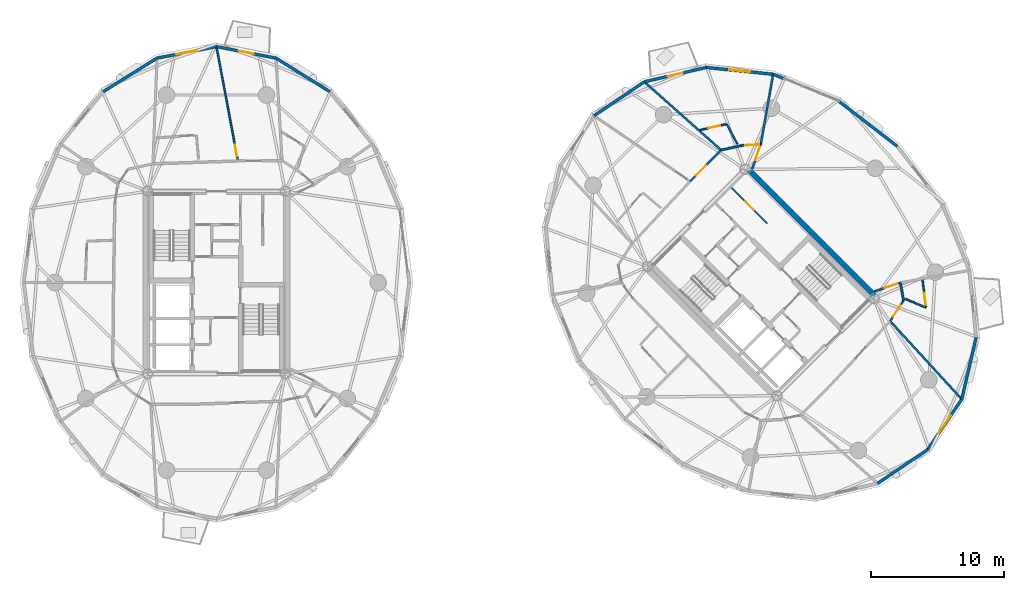
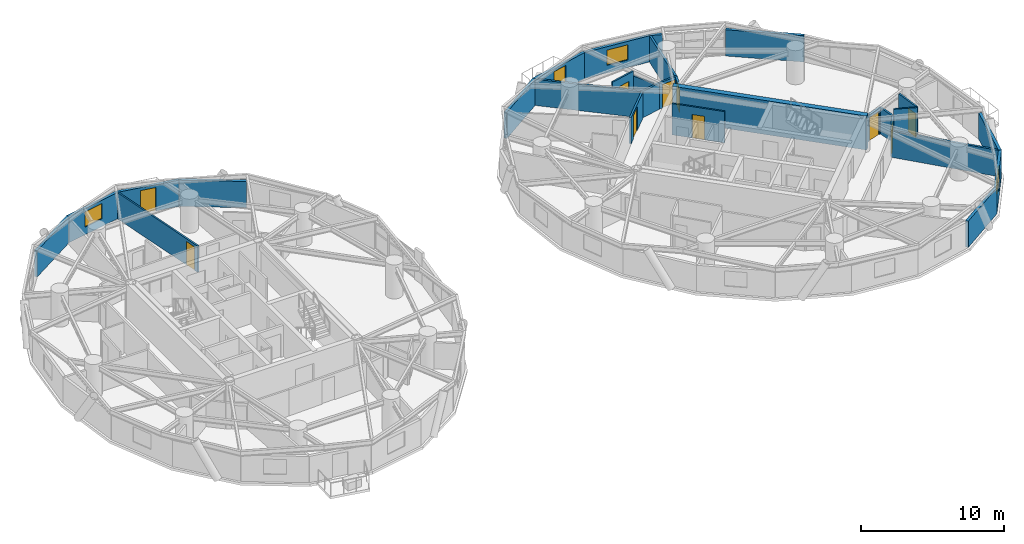
# One storey, part 13 of 17: 29 walls, 11 doors, 3 windows, 14 openings.
"""IFC4 building model written with IfcOpenShell, lengths in metres."""

from ifc_helpers import new_model, si_unit, direction, frame, frame_2d, origin, place, context, subcontext, project, spatial, rectangle, extrude, source, transform, mapped, material, layer, layer_set, type_object, element, fill, save


model = new_model("IFC4")

# Units and contexts
model_context = context("Model", 3, precision=1e-05, world=origin(), true_north=direction((0.0, 1.0)))
body_context = subcontext(model_context, "Body", "Model", "MODEL_VIEW")
ifc_project = project(units=[si_unit("LENGTHUNIT", "METRE"), si_unit("AREAUNIT", "SQUARE_METRE"), si_unit("VOLUMEUNIT", "CUBIC_METRE"), si_unit("PLANEANGLEUNIT", "RADIAN"), si_unit("MASSUNIT", "GRAM", prefix="KILO")], contexts=[model_context])

# Site, building, storey
site_placement = place(None, origin())
site = spatial("IfcSite", under=ifc_project, at=site_placement, CompositionType="ELEMENT")
building_placement = place(site_placement, origin())
building = spatial("IfcBuilding", under=site, at=building_placement, Name="Cununo Teusaquillo Station Towers", CompositionType="ELEMENT")
storey_placement = place(building_placement, frame((0.0, 0.0, 154.510009765625)))
storey = spatial("IfcBuildingStorey", under=building, at=storey_placement, Name="L48", CompositionType="ELEMENT", Elevation=154.510009765625)

# Walls
ifc_material_1 = material(Name="Concrete C50/60", Category="concrete")
ifc_layer_1 = layer(ifc_material_1, 0.39990234375)
ifc_layer_set_1 = layer_set([ifc_layer_1], Name="Concrete C50/60")
wall_type_1 = type_object("IfcWallType", Name="WL-CORE-400", PredefinedType="SHEAR", material=ifc_layer_set_1)
wall_1_placement = place(storey_placement, frame((66.26806640625, 23.2978515625, 0.0), z_axis=(0.0, 0.0, 1.0), x_axis=(-0.707106781187, 0.707106781187, 0.0)))
element("IfcWall", 1, at=wall_1_placement, inside=storey, type_object=wall_type_1, Name="L48 Tower B Core Shear Wall E", PredefinedType="SHEAR", context=body_context, shape_type="SweptSolid", body=[
    extrude(rectangle(XDim=14.10009765625, YDim=0.39990234375, at=frame_2d((7.050048828125, 0.0))), origin(), (0.0, 0.0, 1.0), 2.909912109375),
])
ifc_material_2 = material(Name="Precast concrete C40/50", Category="concrete")
ifc_layer_2 = layer(ifc_material_2, 0.219970703125)
ifc_layer_set_2 = layer_set([ifc_layer_2], Name="Precast concrete C40/50")
wall_type_2 = type_object("IfcWallType", Name="WL-EXT-220", PredefinedType="SOLIDWALL", material=ifc_layer_set_2)
wall_2_placement = place(storey_placement, frame((20.9853515625, 41.400390625, 0.0), z_axis=(0.0, 0.0, 1.0), x_axis=(0.848452391194, -0.529271707044, 0.0)))
element("IfcWall", 2, at=wall_2_placement, inside=storey, type_object=wall_type_2, Name="L48 Tower A Exterior Facade Wall C03", PredefinedType="SOLIDWALL", context=body_context, shape_type="SweptSolid", body=[
    extrude(rectangle(XDim=4.76904296875, YDim=0.219970703125, at=frame_2d((2.384521484375, 0.0))), origin(), (0.0, 0.0, 1.0), 2.244873046875),
])

# Wall, opening, door
wall_3_placement = place(storey_placement, frame((16.5, 42.27001953125, 0.0), z_axis=(0.0, 0.0, 1.0), x_axis=(0.981718699963, -0.190337579429, 0.0)))
wall_3 = element("IfcWall", 3, at=wall_3_placement, inside=storey, type_object=wall_type_2, Name="L48 Tower A Exterior Facade Wall C04", PredefinedType="SOLIDWALL", context=body_context, shape_type="SweptSolid", body=[
    extrude(rectangle(XDim=4.56884765625, YDim=0.219970703125, at=frame_2d((2.284423828125, 0.0))), origin(), (0.0, 0.0, 1.0), 2.244873046875),
])
shared_shape_1 = source(origin(), body_context, "Body", "SweptSolid", [
    extrude(rectangle(XDim=1.14990234375, YDim=2.0048828125, at=frame_2d((0.574951171875, 1.00244140625))), frame((0.0, 0.119873046875, 0.0), z_axis=(0.0, -1.0, 0.0), x_axis=(1.0, 0.0, 0.0)), (0.0, 0.0, 1.0), 0.239990234375),
])
opening_1_placement = place(wall_3_placement, frame((1.708984375, 0.0, 0.0)))
opening_1 = element("IfcOpeningElement", 4, at=opening_1_placement, cuts=wall_3, Name="Opening ED-03", PredefinedType="OPENING", context=body_context, shape_type="MappedRepresentation", body=[
    mapped(shared_shape_1, transform((0.0, 0.0, 0.0), x_axis=(1.0, 0.0, 0.0), y_axis=(0.0, 1.0, 0.0), z_axis=(0.0, 0.0, 1.0), scale=1.0)),
])
ifc_material_3 = material(Name="Anodised dark bronze aluminium EN AW-6063-T6", Category="aluminium")
door_type_1 = type_object("IfcDoorType", Name="DR-EXT-BAL", OperationType="NOTDEFINED", PredefinedType="DOOR", material=ifc_material_3)
shared_shape_2 = source(origin(), body_context, "Body", "SweptSolid", [
    extrude(rectangle(XDim=1.14990234375, YDim=2.0048828125, at=frame_2d((0.574951171875, 1.00244140625))), frame((0.0, 0.02490234375, 0.0), z_axis=(0.0, -1.0, 0.0), x_axis=(1.0, 0.0, 0.0)), (0.0, 0.0, 1.0), 0.050048828125),
])
door_1_placement = place(opening_1_placement, origin())
door_1 = element("IfcDoor", 5, at=door_1_placement, inside=storey, type_object=door_type_1, Name="L48 Tower A Tree Balcony Door C04", OperationType="SINGLE_SWING_LEFT", OverallHeight=2.0048828125, OverallWidth=1.14990234375, PredefinedType="DOOR", context=body_context, shape_type="MappedRepresentation", body=[
    mapped(shared_shape_2, transform((0.0, 0.0, 0.0), x_axis=(1.0, 0.0, 0.0), y_axis=(0.0, 1.0, 0.0), z_axis=(0.0, 0.0, 1.0), scale=1.0)),
])
fill(opening_1, door_1)

# Wall, opening, window
wall_4_placement = place(storey_placement, frame((12.0146484375, 41.400390625, 0.0), z_axis=(0.0, 0.0, 1.0), x_axis=(0.981718699963, 0.190337579429, 0.0)))
wall_4 = element("IfcWall", 6, at=wall_4_placement, inside=storey, type_object=wall_type_2, Name="L48 Tower A Exterior Facade Wall C05", PredefinedType="SOLIDWALL", context=body_context, shape_type="SweptSolid", body=[
    extrude(rectangle(XDim=4.56884765625, YDim=0.219970703125, at=frame_2d((2.284423828125, 0.0))), origin(), (0.0, 0.0, 1.0), 2.244873046875),
])
shared_shape_3 = source(origin(), body_context, "Body", "SweptSolid", [
    extrude(rectangle(XDim=1.60009765625, YDim=1.300048828125, at=frame_2d((0.800048828125, 0.64990234375))), frame((0.0, 0.119873046875, 0.0), z_axis=(0.0, -1.0, 0.0), x_axis=(1.0, 0.0, 0.0)), (0.0, 0.0, 1.0), 0.239990234375),
])
opening_2_placement = place(wall_4_placement, frame((1.48388671875, 0.0, 0.64990234375)))
opening_2 = element("IfcOpeningElement", 7, at=opening_2_placement, cuts=wall_4, Name="Opening WN-03", PredefinedType="OPENING", context=body_context, shape_type="MappedRepresentation", body=[
    mapped(shared_shape_3, transform((0.0, 0.0, 0.0), x_axis=(1.0, 0.0, 0.0), y_axis=(0.0, 1.0, 0.0), z_axis=(0.0, 0.0, 1.0), scale=1.0)),
])
ifc_material_4 = material(Name="Ceramic-fritted dark low-E double glazing", Category="glass")
window_type = type_object("IfcWindowType", Name="WIN-CORN-1600", PartitioningType="SINGLE_PANEL", PredefinedType="WINDOW", material=ifc_material_4)
shared_shape_4 = source(origin(), body_context, "Body", "SweptSolid", [
    extrude(rectangle(XDim=1.60009765625, YDim=1.300048828125, at=frame_2d((0.800048828125, 0.64990234375))), frame((0.0, 0.030029296875, 0.0), z_axis=(0.0, -1.0, 0.0), x_axis=(1.0, 0.0, 0.0)), (0.0, 0.0, 1.0), 0.06005859375),
])
window_1_placement = place(opening_2_placement, origin())
window_1 = element("IfcWindow", 8, at=window_1_placement, inside=storey, type_object=window_type, Name="L48 Tower A Facade Window C05", OverallHeight=1.300048828125, OverallWidth=1.60009765625, PartitioningType="SINGLE_PANEL", PredefinedType="WINDOW", context=body_context, shape_type="MappedRepresentation", body=[
    mapped(shared_shape_4, transform((0.0, 0.0, 0.0), x_axis=(1.0, 0.0, 0.0), y_axis=(0.0, 1.0, 0.0), z_axis=(0.0, 0.0, 1.0), scale=1.0)),
])
fill(opening_2, window_1)

# Walls
wall_5_placement = place(storey_placement, frame((7.96826171875, 38.876220703125, 0.0), z_axis=(0.0, 0.0, 1.0), x_axis=(0.848452391194, 0.529271707044, 0.0)))
element("IfcWall", 9, at=wall_5_placement, inside=storey, type_object=wall_type_2, Name="L48 Tower A Exterior Facade Wall C06", PredefinedType="SOLIDWALL", context=body_context, shape_type="SweptSolid", body=[
    extrude(rectangle(XDim=4.76904296875, YDim=0.219970703125, at=frame_2d((2.384521484375, 0.0))), origin(), (0.0, 0.0, 1.0), 2.244873046875),
])
wall_6_placement = place(storey_placement, frame((63.37841796875, 38.144287109375, 0.0), z_axis=(0.0, 0.0, 1.0), x_axis=(0.791982658323, -0.610543584779, 0.0)))
element("IfcWall", 10, at=wall_6_placement, inside=storey, type_object=wall_type_2, Name="L48 Tower B Exterior Facade Wall C00", PredefinedType="SOLIDWALL", context=body_context, shape_type="SweptSolid", body=[
    extrude(rectangle(XDim=5.537109375, YDim=0.219970703125, at=frame_2d((2.7685546875, 0.0))), origin(), (0.0, 0.0, 1.0), 2.244873046875),
])
wall_7_placement = place(storey_placement, frame((58.417724609375, 40.189208984375, 0.0), z_axis=(0.0, 0.0, 1.0), x_axis=(0.924556017656, -0.381046152345, 0.0)))
element("IfcWall", 11, at=wall_7_placement, inside=storey, type_object=wall_type_2, Name="L48 Tower B Column Pier Cladding Wall C01-PA", PredefinedType="SOLIDWALL", context=body_context, shape_type="SweptSolid", body=[
    extrude(rectangle(XDim=0.8701171875, YDim=0.219970703125, at=frame_2d((0.43505859375, 0.0))), origin(), (0.0, 0.0, 1.0), 2.244873046875),
])

# Wall, opening, window
wall_8_placement = place(storey_placement, frame((53.3671875, 40.6982421875, 0.0), z_axis=(0.0, 0.0, 1.0), x_axis=(0.994959267396, -0.100279889424, 0.0)))
wall_8 = element("IfcWall", 12, at=wall_8_placement, inside=storey, type_object=wall_type_2, Name="L48 Tower B Exterior Facade Wall C02", PredefinedType="SOLIDWALL", context=body_context, shape_type="SweptSolid", body=[
    extrude(rectangle(XDim=5.076171875, YDim=0.219970703125, at=frame_2d((2.5380859375, 0.0))), origin(), (0.0, 0.0, 1.0), 2.244873046875),
])
opening_3_placement = place(wall_8_placement, frame((1.738037109375, 0.0, 0.64990234375)))
opening_3 = element("IfcOpeningElement", 13, at=opening_3_placement, cuts=wall_8, Name="Opening WN-03", PredefinedType="OPENING", context=body_context, shape_type="MappedRepresentation", body=[
    mapped(shared_shape_3, transform((0.0, 0.0, 0.0), x_axis=(1.0, 0.0, 0.0), y_axis=(0.0, 1.0, 0.0), z_axis=(0.0, 0.0, 1.0), scale=1.0)),
])
window_2_placement = place(opening_3_placement, origin())
window_2 = element("IfcWindow", 14, at=window_2_placement, inside=storey, type_object=window_type, Name="L48 Tower B Facade Window C02", OverallHeight=1.300048828125, OverallWidth=1.60009765625, PartitioningType="SINGLE_PANEL", PredefinedType="WINDOW", context=body_context, shape_type="MappedRepresentation", body=[
    mapped(shared_shape_4, transform((0.0, 0.0, 0.0), x_axis=(1.0, 0.0, 0.0), y_axis=(0.0, 1.0, 0.0), z_axis=(0.0, 0.0, 1.0), scale=1.0)),
])
fill(opening_3, window_2)

# Wall, opening, door
wall_9_placement = place(storey_placement, frame((48.72119140625, 39.6220703125, 0.0), z_axis=(0.0, 0.0, 1.0), x_axis=(0.974206226622, 0.225659540039, 0.0)))
wall_9 = element("IfcWall", 15, at=wall_9_placement, inside=storey, type_object=wall_type_2, Name="L48 Tower B Exterior Facade Wall C03", PredefinedType="SOLIDWALL", context=body_context, shape_type="SweptSolid", body=[
    extrude(rectangle(XDim=4.76904296875, YDim=0.219970703125, at=frame_2d((2.384521484375, 0.0))), origin(), (0.0, 0.0, 1.0), 2.244873046875),
])
opening_4_placement = place(wall_9_placement, frame((1.81005859375, 0.0, 0.0)))
opening_4 = element("IfcOpeningElement", 16, at=opening_4_placement, cuts=wall_9, Name="Opening ED-03", PredefinedType="OPENING", context=body_context, shape_type="MappedRepresentation", body=[
    mapped(shared_shape_1, transform((0.0, 0.0, 0.0), x_axis=(1.0, 0.0, 0.0), y_axis=(0.0, 1.0, 0.0), z_axis=(0.0, 0.0, 1.0), scale=1.0)),
])
door_2_placement = place(opening_4_placement, origin())
door_2 = element("IfcDoor", 17, at=door_2_placement, inside=storey, type_object=door_type_1, Name="L48 Tower B Tree Balcony Door C03", OperationType="SINGLE_SWING_LEFT", OverallHeight=2.0048828125, OverallWidth=1.14990234375, PredefinedType="DOOR", context=body_context, shape_type="MappedRepresentation", body=[
    mapped(shared_shape_2, transform((0.0, 0.0, 0.0), x_axis=(1.0, 0.0, 0.0), y_axis=(0.0, 1.0, 0.0), z_axis=(0.0, 0.0, 1.0), scale=1.0)),
])
fill(opening_4, door_2)

# Walls
for number, where, z_axis, x_axis, name in (
    (18, (44.934814453125, 37.065185546875, 0.0), (0.0, 0.0, 1.0), (0.828739009952, 0.559635286042, 0.0), "L48 Tower B Exterior Facade Wall C04"),
    (19, (70.065185546875, 11.934814453125, 0.0), (0.0, 0.0, 1.0), (-0.828739009952, -0.559635286042, 0.0), "L48 Tower B Exterior Facade Wall C14"),
):
    element("IfcWall", number, at=place(storey_placement, frame(where, z_axis=z_axis, x_axis=x_axis)), inside=storey, type_object=wall_type_2, Name=name, PredefinedType="SOLIDWALL", context=body_context, shape_type="SweptSolid", body=[
        extrude(rectangle(XDim=4.56884765625, YDim=0.219970703125, at=frame_2d((2.284423828125, 0.0))), origin(), (0.0, 0.0, 1.0), 2.244873046875),
    ])

# Wall, opening, window
wall_10_placement = place(storey_placement, frame((72.6220703125, 15.72119140625, 0.0), z_axis=(0.0, 0.0, 1.0), x_axis=(-0.559635286042, -0.828739009952, 0.0)))
wall_10 = element("IfcWall", 20, at=wall_10_placement, inside=storey, type_object=wall_type_2, Name="L48 Tower B Exterior Facade Wall C15", PredefinedType="SOLIDWALL", context=body_context, shape_type="SweptSolid", body=[
    extrude(rectangle(XDim=4.56884765625, YDim=0.219970703125, at=frame_2d((2.284423828125, 0.0))), origin(), (0.0, 0.0, 1.0), 2.244873046875),
])
opening_5_placement = place(wall_10_placement, frame((1.48388671875, 0.0, 0.64990234375)))
opening_5 = element("IfcOpeningElement", 21, at=opening_5_placement, cuts=wall_10, Name="Opening WN-03", PredefinedType="OPENING", context=body_context, shape_type="MappedRepresentation", body=[
    mapped(shared_shape_3, transform((0.0, 0.0, 0.0), x_axis=(1.0, 0.0, 0.0), y_axis=(0.0, 1.0, 0.0), z_axis=(0.0, 0.0, 1.0), scale=1.0)),
])
window_3_placement = place(opening_5_placement, origin())
window_3 = element("IfcWindow", 22, at=window_3_placement, inside=storey, type_object=window_type, Name="L48 Tower B Facade Window C15", OverallHeight=1.300048828125, OverallWidth=1.60009765625, PartitioningType="SINGLE_PANEL", PredefinedType="WINDOW", context=body_context, shape_type="MappedRepresentation", body=[
    mapped(shared_shape_4, transform((0.0, 0.0, 0.0), x_axis=(1.0, 0.0, 0.0), y_axis=(0.0, 1.0, 0.0), z_axis=(0.0, 0.0, 1.0), scale=1.0)),
])
fill(opening_5, window_3)

# Wall
wall_11_placement = place(storey_placement, frame((73.6982421875, 20.3671875, 0.0), z_axis=(0.0, 0.0, 1.0), x_axis=(-0.225659540039, -0.974206226622, 0.0)))
element("IfcWall", 23, at=wall_11_placement, inside=storey, type_object=wall_type_2, Name="L48 Tower B Exterior Facade Wall C16", PredefinedType="SOLIDWALL", context=body_context, shape_type="SweptSolid", body=[
    extrude(rectangle(XDim=4.76904296875, YDim=0.219970703125, at=frame_2d((2.384521484375, 0.0))), origin(), (0.0, 0.0, 1.0), 2.244873046875),
])

# Wall, opening, door
ifc_material_5 = material(Name="Fire-rated gypsum plasterboard partition assembly", Category="gypsum")
ifc_layer_3 = layer(ifc_material_5, 0.125)
ifc_layer_set_3 = layer_set([ifc_layer_3], Name="Fire-rated gypsum plasterboard partition assembly")
wall_type_3 = type_object("IfcWallType", Name="WL-PART-125", PredefinedType="PARTITIONING", material=ifc_layer_set_3)
wall_12_placement = place(storey_placement, frame((18.1123046875, 33.659423828125, 0.0), z_axis=(0.0, 0.0, 1.0), x_axis=(-0.18446223694, 0.982839601941, 0.0)))
wall_12 = element("IfcWall", 24, at=wall_12_placement, inside=storey, type_object=wall_type_3, Name="L48 Tower A Cloud-Forest Hotel Suite Suite Subdividing Wall", PredefinedType="PARTITIONING", context=body_context, shape_type="SweptSolid", body=[
    extrude(rectangle(XDim=8.740478515625, YDim=0.125, at=frame_2d((4.3701171875, 0.0))), origin(), (0.0, 0.0, 1.0), 2.244873046875),
])
shared_shape_5 = source(origin(), body_context, "Body", "SweptSolid", [
    extrude(rectangle(XDim=0.89990234375, YDim=2.0048828125, at=frame_2d((0.449951171875, 1.00244140625))), frame((0.0, 0.072509765625, 0.0), z_axis=(0.0, -1.0, 0.0), x_axis=(1.0, 0.0, 0.0)), (0.0, 0.0, 1.0), 0.14501953125),
])
opening_6_placement = place(wall_12_placement, frame((0.330078125, 0.0, 0.0)))
opening_6 = element("IfcOpeningElement", 25, at=opening_6_placement, cuts=wall_12, Name="Opening D-IN1", PredefinedType="OPENING", context=body_context, shape_type="MappedRepresentation", body=[
    mapped(shared_shape_5, transform((0.0, 0.0, 0.0), x_axis=(1.0, 0.0, 0.0), y_axis=(0.0, 1.0, 0.0), z_axis=(0.0, 0.0, 1.0), scale=1.0)),
])
ifc_material_6 = material(Name="Acoustic solid-core hardwood leaf assembly", Category="wood")
door_type_2 = type_object("IfcDoorType", Name="DR-INT-900", OperationType="NOTDEFINED", PredefinedType="DOOR", material=ifc_material_6)
shared_shape_6 = source(origin(), body_context, "Body", "SweptSolid", [
    extrude(rectangle(XDim=0.89990234375, YDim=2.0048828125, at=frame_2d((0.449951171875, 1.00244140625))), frame((0.0, 0.02490234375, 0.0), z_axis=(0.0, -1.0, 0.0), x_axis=(1.0, 0.0, 0.0)), (0.0, 0.0, 1.0), 0.050048828125),
])
door_3_placement = place(opening_6_placement, origin())
door_3 = element("IfcDoor", 26, at=door_3_placement, inside=storey, type_object=door_type_2, Name="L48 Tower A Cloud-Forest Hotel Suite Suite Connecting Door", OperationType="SINGLE_SWING_RIGHT", OverallHeight=2.0048828125, OverallWidth=0.89990234375, PredefinedType="DOOR", context=body_context, shape_type="MappedRepresentation", body=[
    mapped(shared_shape_6, transform((0.0, 0.0, 0.0), x_axis=(1.0, 0.0, 0.0), y_axis=(0.0, 1.0, 0.0), z_axis=(0.0, 0.0, 1.0), scale=1.0)),
])
fill(opening_6, door_3)

wall_13_placement = place(storey_placement, frame((57.980712890625, 28.940673828125, 0.0), z_axis=(0.0, 0.0, 1.0), x_axis=(-0.707074823725, 0.707138737204, 0.0)))
wall_13 = element("IfcWall", 27, at=wall_13_placement, inside=storey, type_object=wall_type_3, Name="L48 Tower B Reclaimed Bay Vertical Split Wall", PredefinedType="PARTITIONING", context=body_context, shape_type="SweptSolid", body=[
    extrude(rectangle(XDim=3.81982421875, YDim=0.125, at=frame_2d((1.909912109375, 0.0))), origin(), (0.0, 0.0, 1.0), 2.675048828125),
])
opening_7_placement = place(wall_13_placement, frame((1.449951171875, 0.0, 0.0)))
opening_7 = element("IfcOpeningElement", 28, at=opening_7_placement, cuts=wall_13, Name="Opening D-IN1", PredefinedType="OPENING", context=body_context, shape_type="MappedRepresentation", body=[
    mapped(shared_shape_5, transform((0.0, 0.0, 0.0), x_axis=(1.0, 0.0, 0.0), y_axis=(0.0, 1.0, 0.0), z_axis=(0.0, 0.0, 1.0), scale=1.0)),
])
door_4_placement = place(opening_7_placement, origin())
door_4 = element("IfcDoor", 29, at=door_4_placement, inside=storey, type_object=door_type_2, Name="L48 Tower B Reclaimed Acoustic Booth Door", OperationType="SINGLE_SWING_RIGHT", OverallHeight=2.0048828125, OverallWidth=0.89990234375, PredefinedType="DOOR", context=body_context, shape_type="MappedRepresentation", body=[
    mapped(shared_shape_6, transform((0.0, 0.0, 0.0), x_axis=(1.0, 0.0, 0.0), y_axis=(0.0, 1.0, 0.0), z_axis=(0.0, 0.0, 1.0), scale=1.0)),
])
fill(opening_7, door_4)

# Wall
wall_14_placement = place(storey_placement, frame((55.722412109375, 34.94384765625, 0.0), z_axis=(0.0, 0.0, 1.0), x_axis=(-0.473482169178, 0.880803403417, 0.0)))
element("IfcWall", 30, at=wall_14_placement, inside=storey, type_object=wall_type_3, Name="L48 Tower B S01 En-suite Side Wall", PredefinedType="PARTITIONING", context=body_context, shape_type="SweptSolid", body=[
    extrude(rectangle(XDim=1.697509765625, YDim=0.125, at=frame_2d((0.8486328125, 0.0))), origin(), (0.0, 0.0, 1.0), 2.244873046875),
])

# Wall, opening, door
wall_15_placement = place(storey_placement, frame((54.85791015625, 36.425048828125, 0.0), z_axis=(0.0, 0.0, 1.0), x_axis=(-0.975061820415, -0.221933427785, 0.0)))
wall_15 = element("IfcWall", 31, at=wall_15_placement, inside=storey, type_object=wall_type_3, Name="L48 Tower B S01 En-suite Back Wall", PredefinedType="PARTITIONING", context=body_context, shape_type="SweptSolid", body=[
    extrude(rectangle(XDim=1.993408203125, YDim=0.125, at=frame_2d((0.99658203125, 0.0))), origin(), (0.0, 0.0, 1.0), 2.675048828125),
])
opening_8_placement = place(wall_15_placement, frame((0.43994140625, 0.0, 0.0)))
opening_8 = element("IfcOpeningElement", 32, at=opening_8_placement, cuts=wall_15, Name="Opening D-IN1", PredefinedType="OPENING", context=body_context, shape_type="MappedRepresentation", body=[
    mapped(shared_shape_5, transform((0.0, 0.0, 0.0), x_axis=(1.0, 0.0, 0.0), y_axis=(0.0, 1.0, 0.0), z_axis=(0.0, 0.0, 1.0), scale=1.0)),
])
door_5_placement = place(opening_8_placement, origin())
door_5 = element("IfcDoor", 33, at=door_5_placement, inside=storey, type_object=door_type_2, Name="L48 Tower B S01 En-suite Bathroom Door", OperationType="SINGLE_SWING_RIGHT", OverallHeight=2.0048828125, OverallWidth=0.89990234375, PredefinedType="DOOR", context=body_context, shape_type="MappedRepresentation", body=[
    mapped(shared_shape_6, transform((0.0, 0.0, 0.0), x_axis=(1.0, 0.0, 0.0), y_axis=(0.0, 1.0, 0.0), z_axis=(0.0, 0.0, 1.0), scale=1.0)),
])
fill(opening_8, door_5)

# Wall
wall_16_placement = place(storey_placement, frame((68.366943359375, 23.270751953125, 0.0), z_axis=(0.0, 0.0, 1.0), x_axis=(0.922420747941, -0.386186436541, 0.0)))
element("IfcWall", 34, at=wall_16_placement, inside=storey, type_object=wall_type_3, Name="L48 Tower B S08 En-suite Side Wall", PredefinedType="PARTITIONING", context=body_context, shape_type="SweptSolid", body=[
    extrude(rectangle(XDim=1.69873046875, YDim=0.125, at=frame_2d((0.849365234375, 0.0))), origin(), (0.0, 0.0, 1.0), 2.675048828125),
])

# Wall, opening, door
wall_17_placement = place(storey_placement, frame((69.925537109375, 22.677734375, 0.0), z_axis=(0.0, 0.0, 1.0), x_axis=(-0.128245661315, 0.991742431458, 0.0)))
wall_17 = element("IfcWall", 35, at=wall_17_placement, inside=storey, type_object=wall_type_3, Name="L48 Tower B S08 En-suite Back Wall", PredefinedType="PARTITIONING", context=body_context, shape_type="SweptSolid", body=[
    extrude(rectangle(XDim=2.033203125, YDim=0.125, at=frame_2d((1.0166015625, 0.0))), origin(), (0.0, 0.0, 1.0), 2.675048828125),
])
opening_9_placement = place(wall_17_placement, frame((0.1201171875, 0.0, 0.0)))
opening_9 = element("IfcOpeningElement", 36, at=opening_9_placement, cuts=wall_17, Name="Opening D-IN1", PredefinedType="OPENING", context=body_context, shape_type="MappedRepresentation", body=[
    mapped(shared_shape_5, transform((0.0, 0.0, 0.0), x_axis=(1.0, 0.0, 0.0), y_axis=(0.0, 1.0, 0.0), z_axis=(0.0, 0.0, 1.0), scale=1.0)),
])
door_6_placement = place(opening_9_placement, origin())
door_6 = element("IfcDoor", 37, at=door_6_placement, inside=storey, type_object=door_type_2, Name="L48 Tower B S08 En-suite Bathroom Door", OperationType="SINGLE_SWING_LEFT", OverallHeight=2.0048828125, OverallWidth=0.89990234375, PredefinedType="DOOR", context=body_context, shape_type="MappedRepresentation", body=[
    mapped(shared_shape_6, transform((0.0, 0.0, 0.0), x_axis=(1.0, 0.0, 0.0), y_axis=(0.0, 1.0, 0.0), z_axis=(0.0, 0.0, 1.0), scale=1.0)),
])
fill(opening_9, door_6)

ifc_material_7 = material(Name="Fire-rated gypsum plasterboard partition assembly", Category="gypsum")
ifc_layer_4 = layer(ifc_material_7, 0.14990234375)
ifc_layer_set_4 = layer_set([ifc_layer_4], Name="Fire-rated gypsum plasterboard partition assembly")
wall_type_4 = type_object("IfcWallType", Name="WL-PART-150", PredefinedType="PARTITIONING", material=ifc_layer_set_4)
wall_18_placement = place(storey_placement, frame((57.48193359375, 34.899169921875, 0.0), z_axis=(0.0, 0.0, 1.0), x_axis=(-0.998466026722, -0.055367801852, 0.0)))
wall_18 = element("IfcWall", 38, at=wall_18_placement, inside=storey, type_object=wall_type_4, Name="L48 Tower B Corridor Ring Wall C02", PredefinedType="PARTITIONING", context=body_context, shape_type="SweptSolid", body=[
    extrude(rectangle(XDim=1.455078125, YDim=0.14990234375, at=frame_2d((0.7275390625, 0.0))), origin(), (0.0, 0.0, 1.0), 2.244873046875),
])
shared_shape_7 = source(origin(), body_context, "Body", "SweptSolid", [
    extrude(rectangle(XDim=1.050048828125, YDim=2.014892578125, at=frame_2d((0.52490234375, 1.00732421875))), frame((0.0, 0.0849609375, 0.0), z_axis=(0.0, -1.0, 0.0), x_axis=(1.0, 0.0, 0.0)), (0.0, 0.0, 1.0), 0.169921875),
])
opening_10_placement = place(wall_18_placement, frame((0.1201171875, 0.0, 0.0)))
opening_10 = element("IfcOpeningElement", 39, at=opening_10_placement, cuts=wall_18, Name="Opening D-SU1", PredefinedType="OPENING", context=body_context, shape_type="MappedRepresentation", body=[
    mapped(shared_shape_7, transform((0.0, 0.0, 0.0), x_axis=(1.0, 0.0, 0.0), y_axis=(0.0, 1.0, 0.0), z_axis=(0.0, 0.0, 1.0), scale=1.0)),
])
ifc_material_8 = material(Name="Acoustic solid-core hardwood leaf assembly", Category="wood")
door_type_3 = type_object("IfcDoorType", Name="DR-SUITE-1050", OperationType="NOTDEFINED", PredefinedType="DOOR", material=ifc_material_8)
shared_shape_8 = source(origin(), body_context, "Body", "SweptSolid", [
    extrude(rectangle(XDim=1.050048828125, YDim=2.014892578125, at=frame_2d((0.52490234375, 1.00732421875))), frame((0.0, 0.02490234375, 0.0), z_axis=(0.0, -1.0, 0.0), x_axis=(1.0, 0.0, 0.0)), (0.0, 0.0, 1.0), 0.050048828125),
])
door_7_placement = place(opening_10_placement, origin())
door_7 = element("IfcDoor", 40, at=door_7_placement, inside=storey, type_object=door_type_3, Name="L48 Tower B Grand Panorama Hotel Suite Entrance Door", OperationType="SINGLE_SWING_LEFT", OverallHeight=2.014892578125, OverallWidth=1.050048828125, PredefinedType="DOOR", context=body_context, shape_type="MappedRepresentation", body=[
    mapped(shared_shape_8, transform((0.0, 0.0, 0.0), x_axis=(1.0, 0.0, 0.0), y_axis=(0.0, 1.0, 0.0), z_axis=(0.0, 0.0, 1.0), scale=1.0)),
])
fill(opening_10, door_7)

# Wall
wall_19_placement = place(storey_placement, frame((56.029052734375, 34.818603515625, 0.0), z_axis=(0.0, 0.0, 1.0), x_axis=(-0.976117289068, -0.217244189754, 0.0)))
element("IfcWall", 41, at=wall_19_placement, inside=storey, type_object=wall_type_4, Name="L48 Tower B Corridor Ring Wall C03", PredefinedType="PARTITIONING", context=body_context, shape_type="SweptSolid", body=[
    extrude(rectangle(XDim=1.5654296875, YDim=0.14990234375, at=frame_2d((0.78271484375, 0.0))), origin(), (0.0, 0.0, 1.0), 2.244873046875),
])

# Wall, opening, door
wall_20_placement = place(storey_placement, frame((54.5009765625, 34.478515625, 0.0), z_axis=(0.0, 0.0, 1.0), x_axis=(-0.70346073929, -0.710734119258, 0.0)))
wall_20 = element("IfcWall", 42, at=wall_20_placement, inside=storey, type_object=wall_type_4, Name="L48 Tower B Corridor Ring Wall C04", PredefinedType="PARTITIONING", context=body_context, shape_type="SweptSolid", body=[
    extrude(rectangle(XDim=3.322998046875, YDim=0.14990234375, at=frame_2d((1.66162109375, 0.0))), origin(), (0.0, 0.0, 1.0), 2.244873046875),
])
opening_11_placement = place(wall_20_placement, frame((1.644775390625, 0.0, 0.0)))
opening_11 = element("IfcOpeningElement", 43, at=opening_11_placement, cuts=wall_20, Name="Opening D-SU1", PredefinedType="OPENING", context=body_context, shape_type="MappedRepresentation", body=[
    mapped(shared_shape_7, transform((0.0, 0.0, 0.0), x_axis=(1.0, 0.0, 0.0), y_axis=(0.0, 1.0, 0.0), z_axis=(0.0, 0.0, 1.0), scale=1.0)),
])
door_8_placement = place(opening_11_placement, origin())
door_8 = element("IfcDoor", 44, at=door_8_placement, inside=storey, type_object=door_type_3, Name="L48 Tower B Cloud-Forest Hotel Suite Entrance Door", OperationType="SINGLE_SWING_LEFT", OverallHeight=2.014892578125, OverallWidth=1.050048828125, PredefinedType="DOOR", context=body_context, shape_type="MappedRepresentation", body=[
    mapped(shared_shape_8, transform((0.0, 0.0, 0.0), x_axis=(1.0, 0.0, 0.0), y_axis=(0.0, 1.0, 0.0), z_axis=(0.0, 0.0, 1.0), scale=1.0)),
])
fill(opening_11, door_8)

wall_21_placement = place(storey_placement, frame((67.22998046875, 21.59521484375, 0.0), z_axis=(0.0, 0.0, 1.0), x_axis=(0.543687770222, 0.839287560084, 0.0)))
wall_21 = element("IfcWall", 45, at=wall_21_placement, inside=storey, type_object=wall_type_4, Name="L48 Tower B Corridor Ring Wall C16", PredefinedType="PARTITIONING", context=body_context, shape_type="SweptSolid", body=[
    extrude(rectangle(XDim=1.85498046875, YDim=0.14990234375, at=frame_2d((0.927490234375, 0.0))), origin(), (0.0, 0.0, 1.0), 2.244873046875),
])
opening_12_placement = place(wall_21_placement, frame((0.40234375, 0.0, 0.0)))
opening_12 = element("IfcOpeningElement", 46, at=opening_12_placement, cuts=wall_21, Name="Opening D-SU1", PredefinedType="OPENING", context=body_context, shape_type="MappedRepresentation", body=[
    mapped(shared_shape_7, transform((0.0, 0.0, 0.0), x_axis=(1.0, 0.0, 0.0), y_axis=(0.0, 1.0, 0.0), z_axis=(0.0, 0.0, 1.0), scale=1.0)),
])
door_9_placement = place(opening_12_placement, origin())
door_9 = element("IfcDoor", 47, at=door_9_placement, inside=storey, type_object=door_type_3, Name="L48 Tower B Monserrate View Hotel Suite Entrance Door", OperationType="SINGLE_SWING_RIGHT", OverallHeight=2.014892578125, OverallWidth=1.050048828125, PredefinedType="DOOR", context=body_context, shape_type="MappedRepresentation", body=[
    mapped(shared_shape_8, transform((0.0, 0.0, 0.0), x_axis=(1.0, 0.0, 0.0), y_axis=(0.0, 1.0, 0.0), z_axis=(0.0, 0.0, 1.0), scale=1.0)),
])
fill(opening_12, door_9)

# Walls
wall_22_placement = place(storey_placement, frame((68.238525390625, 23.152099609375, 0.0), z_axis=(0.0, 0.0, 1.0), x_axis=(-0.177076146115, 0.984197154272, 0.0)))
element("IfcWall", 48, at=wall_22_placement, inside=storey, type_object=wall_type_4, Name="L48 Tower B Corridor Ring Wall C17", PredefinedType="PARTITIONING", context=body_context, shape_type="SweptSolid", body=[
    extrude(rectangle(XDim=1.35400390625, YDim=0.14990234375, at=frame_2d((0.677001953125, 0.0))), origin(), (0.0, 0.0, 1.0), 2.244873046875),
])
ifc_material_9 = material(Name="Fire-rated gypsum plasterboard partition assembly", Category="gypsum")
ifc_layer_5 = layer(ifc_material_9, 0.159912109375)
ifc_layer_set_5 = layer_set([ifc_layer_5], Name="Fire-rated gypsum plasterboard partition assembly")
wall_type_5 = type_object("IfcWallType", Name="WL-PART-160", PredefinedType="PARTITIONING", material=ifc_layer_set_5)
wall_23_placement = place(storey_placement, frame((57.48193359375, 34.899169921875, 0.0), z_axis=(0.0, 0.0, 1.0), x_axis=(0.174251112754, 0.98470124896, 0.0)))
element("IfcWall", 49, at=wall_23_placement, inside=storey, type_object=wall_type_5, Name="L48 Tower B Radial Suite Partition R01", PredefinedType="PARTITIONING", context=body_context, shape_type="SweptSolid", body=[
    extrude(rectangle(XDim=5.35205078125, YDim=0.159912109375, at=frame_2d((2.676025390625, 0.0))), origin(), (0.0, 0.0, 1.0), 2.244873046875),
])
wall_24_placement = place(storey_placement, frame((54.5009765625, 34.478515625, 0.0), z_axis=(0.0, 0.0, 1.0), x_axis=(-0.747641382601, 0.66410267506, 0.0)))
element("IfcWall", 50, at=wall_24_placement, inside=storey, type_object=wall_type_5, Name="L48 Tower B Radial Suite Partition R02", PredefinedType="PARTITIONING", context=body_context, shape_type="SweptSolid", body=[
    extrude(rectangle(XDim=7.71826171875, YDim=0.159912109375, at=frame_2d((3.859130859375, 0.0))), origin(), (0.0, 0.0, 1.0), 2.244873046875),
])
wall_25_placement = place(storey_placement, frame((67.22998046875, 21.59521484375, 0.0), z_axis=(0.0, 0.0, 1.0), x_axis=(0.67560509773, -0.737263692258, 0.0)))
element("IfcWall", 51, at=wall_25_placement, inside=storey, type_object=wall_type_5, Name="L48 Tower B Radial Suite Partition R08", PredefinedType="PARTITIONING", context=body_context, shape_type="SweptSolid", body=[
    extrude(rectangle(XDim=7.954833984375, YDim=0.159912109375, at=frame_2d((3.9775390625, 0.0))), origin(), (0.0, 0.0, 1.0), 2.244873046875),
])

# Wall, opening, door
wall_26_placement = place(storey_placement, frame((56.828125, 33.0205078125, 0.0), z_axis=(0.0, 0.0, 1.0), x_axis=(0.328682472103, 0.944440486496, 0.0)))
wall_26 = element("IfcWall", 52, at=wall_26_placement, inside=storey, type_object=wall_type_5, Name="L48 Tower B East Salon Corridor Portal Wall NE", PredefinedType="PARTITIONING", context=body_context, shape_type="SweptSolid", body=[
    extrude(rectangle(XDim=1.9892578125, YDim=0.159912109375, at=frame_2d((0.99462890625, 0.0))), origin(), (0.0, 0.0, 1.0), 2.244873046875),
])
shared_shape_9 = source(origin(), body_context, "Body", "SweptSolid", [
    extrude(rectangle(XDim=1.050048828125, YDim=2.014892578125, at=frame_2d((0.52490234375, 1.00732421875))), frame((0.0, 0.08984375, 0.0), z_axis=(0.0, -1.0, 0.0), x_axis=(1.0, 0.0, 0.0)), (0.0, 0.0, 1.0), 0.179931640625),
])
opening_13_placement = place(wall_26_placement, frame((0.739013671875, 0.0, 0.0)))
opening_13 = element("IfcOpeningElement", 53, at=opening_13_placement, cuts=wall_26, Name="Opening D-SU1", PredefinedType="OPENING", context=body_context, shape_type="MappedRepresentation", body=[
    mapped(shared_shape_9, transform((0.0, 0.0, 0.0), x_axis=(1.0, 0.0, 0.0), y_axis=(0.0, 1.0, 0.0), z_axis=(0.0, 0.0, 1.0), scale=1.0)),
])
door_10_placement = place(opening_13_placement, origin())
door_10 = element("IfcDoor", 54, at=door_10_placement, inside=storey, type_object=door_type_3, Name="L48 Tower B East Panorama Sky Salon Door NE", OperationType="SINGLE_SWING_LEFT", OverallHeight=2.014892578125, OverallWidth=1.050048828125, PredefinedType="DOOR", context=body_context, shape_type="MappedRepresentation", body=[
    mapped(shared_shape_8, transform((0.0, 0.0, 0.0), x_axis=(1.0, 0.0, 0.0), y_axis=(0.0, 1.0, 0.0), z_axis=(0.0, 0.0, 1.0), scale=1.0)),
])
fill(opening_13, door_10)

wall_27_placement = place(storey_placement, frame((66.0205078125, 23.828125, 0.0), z_axis=(0.0, 0.0, 1.0), x_axis=(0.949104122534, 0.314962481241, 0.0)))
wall_27 = element("IfcWall", 55, at=wall_27_placement, inside=storey, type_object=wall_type_5, Name="L48 Tower B East Salon Corridor Portal Wall SE", PredefinedType="PARTITIONING", context=body_context, shape_type="SweptSolid", body=[
    extrude(rectangle(XDim=2.08447265625, YDim=0.159912109375, at=frame_2d((1.042236328125, 0.0))), origin(), (0.0, 0.0, 1.0), 2.244873046875),
])
opening_14_placement = place(wall_27_placement, frame((0.834228515625, 0.0, 0.0)))
opening_14 = element("IfcOpeningElement", 56, at=opening_14_placement, cuts=wall_27, Name="Opening D-SU1", PredefinedType="OPENING", context=body_context, shape_type="MappedRepresentation", body=[
    mapped(shared_shape_9, transform((0.0, 0.0, 0.0), x_axis=(1.0, 0.0, 0.0), y_axis=(0.0, 1.0, 0.0), z_axis=(0.0, 0.0, 1.0), scale=1.0)),
])
door_11_placement = place(opening_14_placement, origin())
door_11 = element("IfcDoor", 57, at=door_11_placement, inside=storey, type_object=door_type_3, Name="L48 Tower B East Panorama Sky Salon Door SE", OperationType="SINGLE_SWING_RIGHT", OverallHeight=2.014892578125, OverallWidth=1.050048828125, PredefinedType="DOOR", context=body_context, shape_type="MappedRepresentation", body=[
    mapped(shared_shape_8, transform((0.0, 0.0, 0.0), x_axis=(1.0, 0.0, 0.0), y_axis=(0.0, 1.0, 0.0), z_axis=(0.0, 0.0, 1.0), scale=1.0)),
])
fill(opening_14, door_11)

save(model, "model.ifc")
